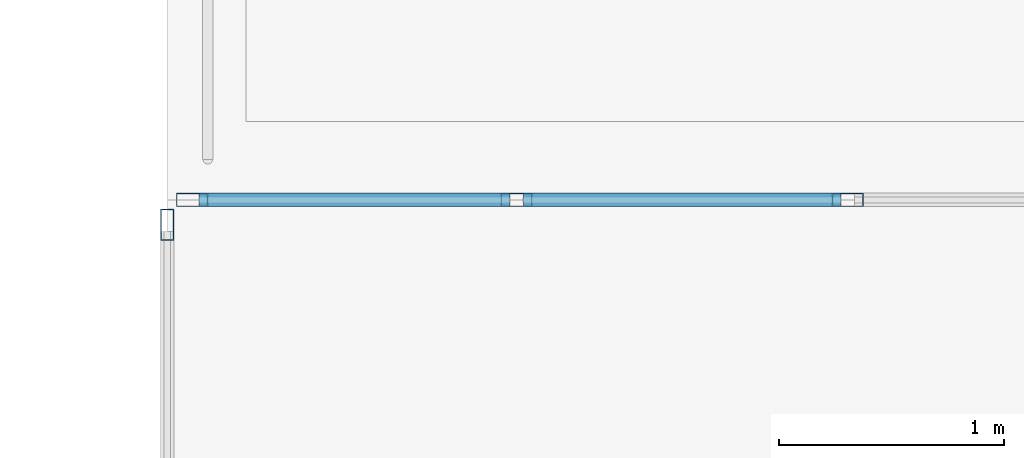
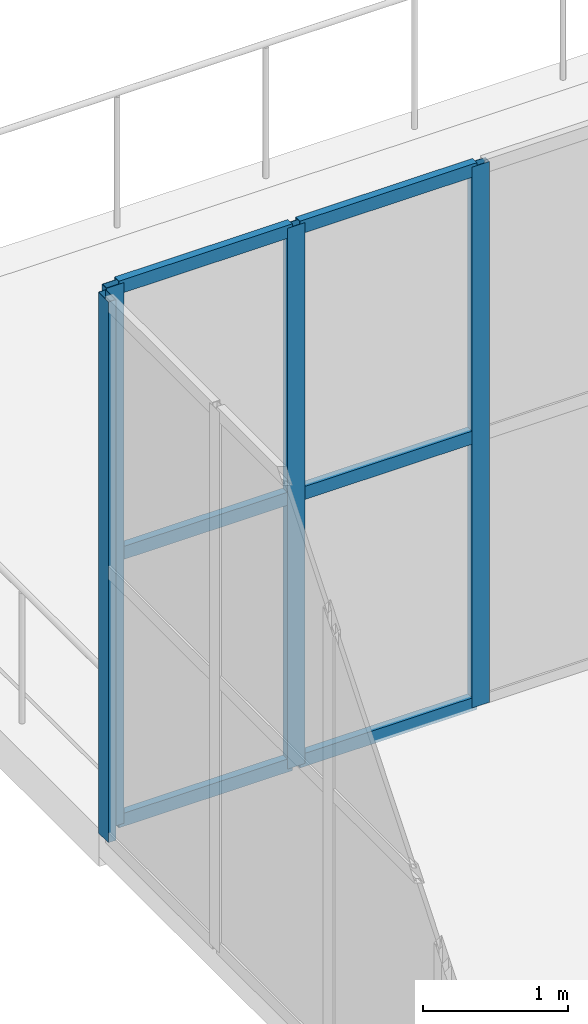
# One storey, part 76 of 158: 10 members, 2 elements without a shape of their own.
"""IFC4 building model written with IfcOpenShell, lengths in metres."""

from ifc_helpers import new_model, si_unit, direction, frame, origin, origin_2d, place, context, subcontext, project, spatial, hollow_rectangle, extrude, material, layer, layer_set, material_profile, profile_set, type_object, element, aggregate, save


model = new_model("IFC4")

# Units and contexts
model_context = context("Model", 3, precision=1e-05, world=origin(), true_north=direction((0.0, 1.0)))
body_context = subcontext(model_context, "Body", "Model", "MODEL_VIEW")
ifc_project = project(units=[si_unit("LENGTHUNIT", "METRE"), si_unit("AREAUNIT", "SQUARE_METRE"), si_unit("VOLUMEUNIT", "CUBIC_METRE"), si_unit("PLANEANGLEUNIT", "RADIAN"), si_unit("MASSUNIT", "GRAM", prefix="KILO")], contexts=[model_context])

# Site, building, storey
site_placement = place(None, origin())
site = spatial("IfcSite", under=ifc_project, at=site_placement, CompositionType="ELEMENT")
building_placement = place(site_placement, origin())
building = spatial("IfcBuilding", under=site, at=building_placement, Name="Trelvath General Hospital", CompositionType="ELEMENT")
storey_placement = place(building_placement, frame((0.0, 0.0, 8.10009765625)))
storey = spatial("IfcBuildingStorey", under=building, at=storey_placement, Name="L02", CompositionType="ELEMENT", Elevation=8.10009765625)

# Curtain wall, members
ifc_material_1 = material(Name="Anodised aluminium and low-E glass", Category="aluminium")
ifc_layer_1 = layer(ifc_material_1, 0.139892578125)
ifc_layer_set_1 = layer_set([ifc_layer_1], Name="Anodised aluminium and low-E glass")
curtain_wall_type_1 = type_object("IfcCurtainWallType", Name="CW CrystalCube 737 456 14", PredefinedType="USERDEFINED", material=ifc_layer_set_1)
curtain_wall_1_placement = place(storey_placement, origin())
curtain_wall_1 = element("IfcCurtainWall", 1, at=curtain_wall_1_placement, inside=storey, type_object=curtain_wall_type_1, Name="Crystal Cube Curtain Wall CUBE-E-T1 N1 L02", ObjectType="Unitised Glazed Curtain Wall", PredefinedType="USERDEFINED")
ifc_material_2 = material(Name="Anodised aluminium", Category="aluminium")
ifc_material_profile_1 = material_profile(ifc_material_2, hollow_rectangle(XDim=0.06005859375, YDim=0.139892578125, WallThickness=0.00390625, at=origin_2d()), Name="RHS60x140x4")
ifc_profile_set_1 = profile_set([ifc_material_profile_1], Name="Anodised aluminium")
member_type_1 = type_object("IfcMemberType", Name="CurtainMullion 60x140", PredefinedType="MULLION", material=ifc_profile_set_1)
member_1_placement = place(storey_placement, frame((92.510009765625, 80.39990234375, 0.0), z_axis=(0.0, 0.0, 1.0), x_axis=(0.0, 1.0, 0.0)))
member_1 = element("IfcMember", 2, at=member_1_placement, type_object=member_type_1, Name="CW-208 mullion 1", PredefinedType="MULLION", context=body_context, shape_type="SweptSolid", body=[
    extrude(hollow_rectangle(XDim=0.06005859375, YDim=0.139892578125, WallThickness=0.00390625, at=origin_2d()), origin(), (0.0, 0.0, 1.0), 4.559814453125),
])
member_2_placement = place(storey_placement, frame((93.953369140625, 80.39990234375, 0.0), z_axis=(0.0, 0.0, 1.0), x_axis=(0.0, 1.0, 0.0)))
member_2 = element("IfcMember", 3, at=member_2_placement, type_object=member_type_1, Name="CW-208 mullion 2", PredefinedType="MULLION", context=body_context, shape_type="SweptSolid", body=[
    extrude(hollow_rectangle(XDim=0.06005859375, YDim=0.139892578125, WallThickness=0.00390625, at=origin_2d()), origin(), (0.0, 0.0, 1.0), 4.559814453125),
])
member_3_placement = place(storey_placement, frame((95.4267578125, 80.39990234375, 0.0), z_axis=(0.0, 0.0, 1.0), x_axis=(0.0, 1.0, 0.0)))
member_3 = element("IfcMember", 4, at=member_3_placement, type_object=member_type_1, Name="CW-208 mullion 3", PredefinedType="MULLION", context=body_context, shape_type="SweptSolid", body=[
    extrude(hollow_rectangle(XDim=0.06005859375, YDim=0.139892578125, WallThickness=0.00390625, at=origin_2d()), origin(), (0.0, 0.0, 1.0), 4.559814453125),
])

# Curtain wall, member
ifc_material_3 = material(Name="Anodised aluminium and low-E glass", Category="aluminium")
ifc_layer_2 = layer(ifc_material_3, 0.139892578125)
ifc_layer_set_2 = layer_set([ifc_layer_2], Name="Anodised aluminium and low-E glass")
curtain_wall_type_2 = type_object("IfcCurtainWallType", Name="CW CrystalCube 470 456 14", PredefinedType="USERDEFINED", material=ifc_layer_set_2)
curtain_wall_2_placement = place(storey_placement, origin())
curtain_wall_2 = element("IfcCurtainWall", 5, at=curtain_wall_2_placement, inside=storey, type_object=curtain_wall_type_2, Name="Crystal Cube Curtain Wall CUBE-E-T1 W7 L02", ObjectType="Unitised Glazed Curtain Wall", PredefinedType="USERDEFINED")
member_4_placement = place(storey_placement, frame((92.39990234375, 80.2900390625, 0.0), z_axis=(0.0, 0.0, 1.0), x_axis=(-1.0, 0.0, 0.0)))
member_4 = element("IfcMember", 6, at=member_4_placement, type_object=member_type_1, Name="CW-219 mullion 4", PredefinedType="MULLION", context=body_context, shape_type="SweptSolid", body=[
    extrude(hollow_rectangle(XDim=0.06005859375, YDim=0.139892578125, WallThickness=0.00390625, at=origin_2d()), origin(), (0.0, 0.0, 1.0), 4.559814453125),
])
aggregate(curtain_wall_2, [member_4])

# Member
ifc_material_4 = material(Name="Anodised aluminium", Category="aluminium")
ifc_material_profile_2 = material_profile(ifc_material_4, hollow_rectangle(XDim=0.06005859375, YDim=0.110107421875, WallThickness=0.00390625, at=origin_2d()), Name="RHS60x110x4")
ifc_profile_set_2 = profile_set([ifc_material_profile_2], Name="Anodised aluminium")
member_type_2 = type_object("IfcMemberType", Name="CurtainTransom 60x110", PredefinedType="USERDEFINED", material=ifc_profile_set_2)
member_5_placement = place(storey_placement, frame((92.5400390625, 80.39990234375, 0.02978515625), z_axis=(1.0, 0.0, 0.0), x_axis=(0.0, 1.0, 0.0)))
member_5 = element("IfcMember", 7, at=member_5_placement, type_object=member_type_2, Name="CW-208 transom 1.1", ObjectType="TRANSOM", PredefinedType="USERDEFINED", context=body_context, shape_type="SweptSolid", body=[
    extrude(hollow_rectangle(XDim=0.06005859375, YDim=0.110107421875, WallThickness=0.00390625, at=origin_2d()), origin(), (0.0, 0.0, 1.0), 1.38330078125),
])

member_6_placement = place(storey_placement, frame((92.5400390625, 80.39990234375, 2.27978515625), z_axis=(1.0, 0.0, 0.0), x_axis=(0.0, 1.0, 0.0)))
member_6 = element("IfcMember", 8, at=member_6_placement, type_object=member_type_2, Name="CW-208 transom 1.2", ObjectType="TRANSOM", PredefinedType="USERDEFINED", context=body_context, shape_type="SweptSolid", body=[
    extrude(hollow_rectangle(XDim=0.06005859375, YDim=0.110107421875, WallThickness=0.00390625, at=origin_2d()), origin(), (0.0, 0.0, 1.0), 1.38330078125),
])

member_7_placement = place(storey_placement, frame((92.5400390625, 80.39990234375, 4.52978515625), z_axis=(1.0, 0.0, 0.0), x_axis=(0.0, 1.0, 0.0)))
member_7 = element("IfcMember", 9, at=member_7_placement, type_object=member_type_2, Name="CW-208 transom 1.3", ObjectType="TRANSOM", PredefinedType="USERDEFINED", context=body_context, shape_type="SweptSolid", body=[
    extrude(hollow_rectangle(XDim=0.06005859375, YDim=0.110107421875, WallThickness=0.00390625, at=origin_2d()), origin(), (0.0, 0.0, 1.0), 1.38330078125),
])

member_8_placement = place(storey_placement, frame((93.9833984375, 80.39990234375, 0.02978515625), z_axis=(1.0, 0.0, 0.0), x_axis=(0.0, 1.0, 0.0)))
member_8 = element("IfcMember", 10, at=member_8_placement, type_object=member_type_2, Name="CW-208 transom 2.1", ObjectType="TRANSOM", PredefinedType="USERDEFINED", context=body_context, shape_type="SweptSolid", body=[
    extrude(hollow_rectangle(XDim=0.06005859375, YDim=0.110107421875, WallThickness=0.00390625, at=origin_2d()), origin(), (0.0, 0.0, 1.0), 1.413330078125),
])

member_9_placement = place(storey_placement, frame((93.9833984375, 80.39990234375, 2.27978515625), z_axis=(1.0, 0.0, 0.0), x_axis=(0.0, 1.0, 0.0)))
member_9 = element("IfcMember", 11, at=member_9_placement, type_object=member_type_2, Name="CW-208 transom 2.2", ObjectType="TRANSOM", PredefinedType="USERDEFINED", context=body_context, shape_type="SweptSolid", body=[
    extrude(hollow_rectangle(XDim=0.06005859375, YDim=0.110107421875, WallThickness=0.00390625, at=origin_2d()), origin(), (0.0, 0.0, 1.0), 1.413330078125),
])

member_10_placement = place(storey_placement, frame((93.9833984375, 80.39990234375, 4.52978515625), z_axis=(1.0, 0.0, 0.0), x_axis=(0.0, 1.0, 0.0)))
member_10 = element("IfcMember", 12, at=member_10_placement, type_object=member_type_2, Name="CW-208 transom 2.3", ObjectType="TRANSOM", PredefinedType="USERDEFINED", context=body_context, shape_type="SweptSolid", body=[
    extrude(hollow_rectangle(XDim=0.06005859375, YDim=0.110107421875, WallThickness=0.00390625, at=origin_2d()), origin(), (0.0, 0.0, 1.0), 1.413330078125),
])

aggregate(curtain_wall_1, [member_1, member_2, member_3, member_5, member_6, member_7, member_8, member_9, member_10])

save(model, "model.ifc")
